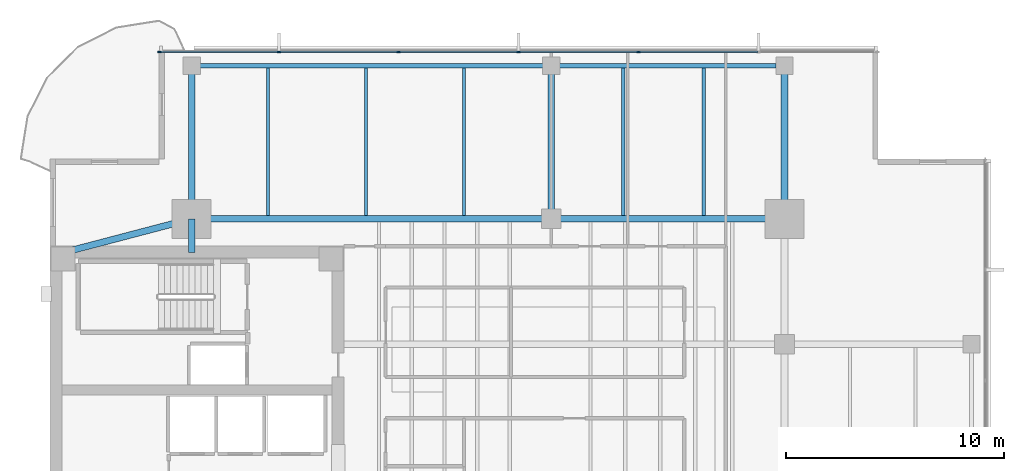
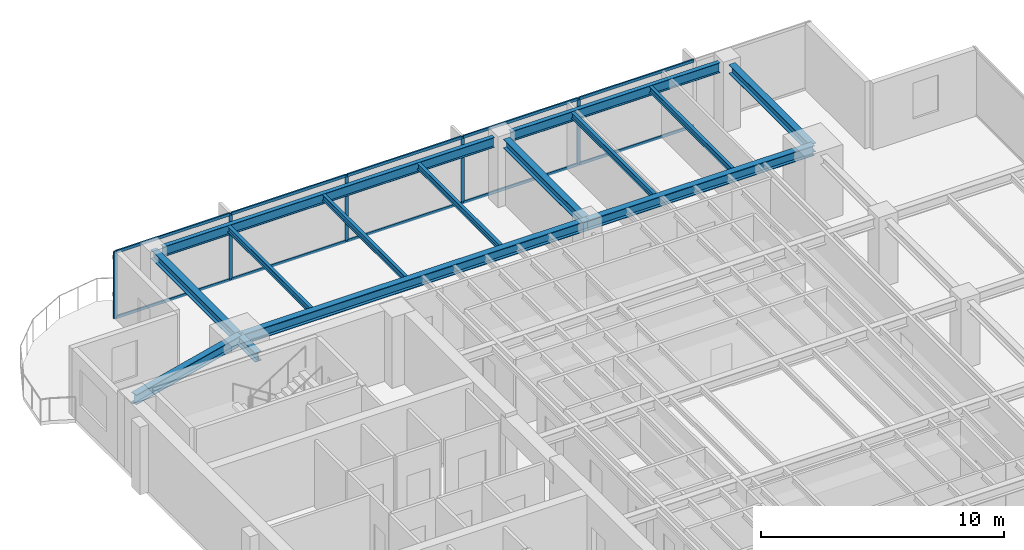
# One storey, part 5 of 15: 15 members, 14 beams, 1 element without a shape of its own.
"""IFC4 building model written with IfcOpenShell, lengths in metres."""

from ifc_helpers import new_model, si_unit, direction, frame, origin, origin_2d, place, context, subcontext, project, spatial, rectangle, i_section, extrude, material, layer, layer_set, material_profile, profile_set, type_object, element, aggregate, save


model = new_model("IFC4")

# Units and contexts
model_context = context("Model", 3, precision=1e-05, world=origin(), true_north=direction((0.0, 1.0)))
body_context = subcontext(model_context, "Body", "Model", "MODEL_VIEW")
ifc_project = project(units=[si_unit("LENGTHUNIT", "METRE"), si_unit("AREAUNIT", "SQUARE_METRE"), si_unit("VOLUMEUNIT", "CUBIC_METRE"), si_unit("PLANEANGLEUNIT", "RADIAN"), si_unit("MASSUNIT", "GRAM", prefix="KILO")], contexts=[model_context])

# Site, building, storey
site_placement = place(None, origin())
site = spatial("IfcSite", under=ifc_project, at=site_placement, CompositionType="ELEMENT")
building_placement = place(site_placement, origin())
building = spatial("IfcBuilding", under=site, at=building_placement, Name="Kinhvarn Gate Tower", CompositionType="ELEMENT")
storey_placement = place(building_placement, frame((0.0, 0.0, 237.75)))
storey = spatial("IfcBuildingStorey", under=building, at=storey_placement, Name="L63", CompositionType="ELEMENT", Elevation=237.75)

# Curtain wall, members
ifc_material_1 = material(Name="Anodised aluminium AW-6063", Category="aluminium")
ifc_layer = layer(ifc_material_1, 0.179931640625)
ifc_layer_set = layer_set([ifc_layer], Name="Anodised aluminium AW-6063")
curtain_wall_type = type_object("IfcCurtainWallType", Name="CW-SYS-3", PredefinedType="NOTDEFINED", material=ifc_layer_set)
curtain_wall_placement = place(storey_placement, origin())
curtain_wall = element("IfcCurtainWall", 1, at=curtain_wall_placement, inside=storey, type_object=curtain_wall_type, Name="Curtain Wall CW3 (L63)", PredefinedType="NOTDEFINED")
ifc_material_profile_1 = material_profile(ifc_material_1, rectangle(XDim=0.06494140625, YDim=0.159912109375, at=origin_2d()), Name="ALU 65x160")
ifc_profile_set_1 = profile_set([ifc_material_profile_1], Name="Anodised aluminium AW-6063")
member_type_1 = type_object("IfcMemberType", Name="CW-MUL-160", PredefinedType="MULLION", material=ifc_profile_set_1)
member_1_placement = place(storey_placement, frame((31.5, 45.409912109375, 0.0), z_axis=(0.0, 0.0, 1.0), x_axis=(0.0, -1.0, 0.0)))
member_1 = element("IfcMember", 2, at=member_1_placement, type_object=member_type_1, Name="CW3 mullion 3", PredefinedType="MULLION", context=body_context, shape_type="SweptSolid", body=[
    extrude(rectangle(XDim=0.06494140625, YDim=0.159912109375, at=origin_2d()), origin(), (0.0, 0.0, 1.0), 3.35009765625),
])
member_2_placement = place(storey_placement, frame((26.0, 45.409912109375, 0.0), z_axis=(0.0, 0.0, 1.0), x_axis=(0.0, -1.0, 0.0)))
member_2 = element("IfcMember", 3, at=member_2_placement, type_object=member_type_1, Name="CW3 mullion 4", PredefinedType="MULLION", context=body_context, shape_type="SweptSolid", body=[
    extrude(rectangle(XDim=0.06494140625, YDim=0.159912109375, at=origin_2d()), origin(), (0.0, 0.0, 1.0), 3.35009765625),
])
member_3_placement = place(storey_placement, frame((20.5, 45.409912109375, 0.0), z_axis=(0.0, 0.0, 1.0), x_axis=(0.0, -1.0, 0.0)))
member_3 = element("IfcMember", 4, at=member_3_placement, type_object=member_type_1, Name="CW3 mullion 5", PredefinedType="MULLION", context=body_context, shape_type="SweptSolid", body=[
    extrude(rectangle(XDim=0.06494140625, YDim=0.159912109375, at=origin_2d()), origin(), (0.0, 0.0, 1.0), 3.35009765625),
])
member_4_placement = place(storey_placement, frame((15.0, 45.409912109375, 0.0), z_axis=(0.0, 0.0, 1.0), x_axis=(0.0, -1.0, 0.0)))
member_4 = element("IfcMember", 5, at=member_4_placement, type_object=member_type_1, Name="CW3 mullion 6", PredefinedType="MULLION", context=body_context, shape_type="SweptSolid", body=[
    extrude(rectangle(XDim=0.06494140625, YDim=0.159912109375, at=origin_2d()), origin(), (0.0, 0.0, 1.0), 3.35009765625),
])
member_5_placement = place(storey_placement, frame((9.532470703125, 45.409912109375, 0.0), z_axis=(0.0, 0.0, 1.0), x_axis=(0.0, -1.0, 0.0)))
member_5 = element("IfcMember", 6, at=member_5_placement, type_object=member_type_1, Name="CW3 mullion 7", PredefinedType="MULLION", context=body_context, shape_type="SweptSolid", body=[
    extrude(rectangle(XDim=0.06494140625, YDim=0.159912109375, at=origin_2d()), origin(), (0.0, 0.0, 1.0), 3.35009765625),
])
ifc_material_profile_2 = material_profile(ifc_material_1, rectangle(XDim=0.070068359375, YDim=0.139892578125, at=origin_2d()), Name="ALU 70x140")
ifc_profile_set_2 = profile_set([ifc_material_profile_2], Name="Anodised aluminium AW-6063")
member_type_2 = type_object("IfcMemberType", Name="CW-TRN-140", PredefinedType="USERDEFINED", material=ifc_profile_set_2)
member_6_placement = place(storey_placement, frame((36.967529296875, 45.409912109375, 0.034912109375), z_axis=(-1.0, 0.0, 0.0), x_axis=(0.0, -1.0, 0.0)))
member_6 = element("IfcMember", 7, at=member_6_placement, type_object=member_type_2, Name="CW3 transom 2.1", ObjectType="TRANSOM", PredefinedType="USERDEFINED", context=body_context, shape_type="SweptSolid", body=[
    extrude(rectangle(XDim=0.070068359375, YDim=0.139892578125, at=origin_2d()), origin(), (0.0, 0.0, 1.0), 5.43505859375),
])
member_7_placement = place(storey_placement, frame((36.967529296875, 45.409912109375, 3.31494140625), z_axis=(-1.0, 0.0, 0.0), x_axis=(0.0, -1.0, 0.0)))
member_7 = element("IfcMember", 8, at=member_7_placement, type_object=member_type_2, Name="CW3 transom 2.2", ObjectType="TRANSOM", PredefinedType="USERDEFINED", context=body_context, shape_type="SweptSolid", body=[
    extrude(rectangle(XDim=0.070068359375, YDim=0.139892578125, at=origin_2d()), origin(), (0.0, 0.0, 1.0), 5.43505859375),
])
member_8_placement = place(storey_placement, frame((31.467529296875, 45.409912109375, 0.034912109375), z_axis=(-1.0, 0.0, 0.0), x_axis=(0.0, -1.0, 0.0)))
member_8 = element("IfcMember", 9, at=member_8_placement, type_object=member_type_2, Name="CW3 transom 3.1", ObjectType="TRANSOM", PredefinedType="USERDEFINED", context=body_context, shape_type="SweptSolid", body=[
    extrude(rectangle(XDim=0.070068359375, YDim=0.139892578125, at=origin_2d()), origin(), (0.0, 0.0, 1.0), 5.43505859375),
])
member_9_placement = place(storey_placement, frame((31.467529296875, 45.409912109375, 3.31494140625), z_axis=(-1.0, 0.0, 0.0), x_axis=(0.0, -1.0, 0.0)))
member_9 = element("IfcMember", 10, at=member_9_placement, type_object=member_type_2, Name="CW3 transom 3.2", ObjectType="TRANSOM", PredefinedType="USERDEFINED", context=body_context, shape_type="SweptSolid", body=[
    extrude(rectangle(XDim=0.070068359375, YDim=0.139892578125, at=origin_2d()), origin(), (0.0, 0.0, 1.0), 5.43505859375),
])
member_10_placement = place(storey_placement, frame((25.967529296875, 45.409912109375, 0.034912109375), z_axis=(-1.0, 0.0, 0.0), x_axis=(0.0, -1.0, 0.0)))
member_10 = element("IfcMember", 11, at=member_10_placement, type_object=member_type_2, Name="CW3 transom 4.1", ObjectType="TRANSOM", PredefinedType="USERDEFINED", context=body_context, shape_type="SweptSolid", body=[
    extrude(rectangle(XDim=0.070068359375, YDim=0.139892578125, at=origin_2d()), origin(), (0.0, 0.0, 1.0), 5.43505859375),
])
member_11_placement = place(storey_placement, frame((25.967529296875, 45.409912109375, 3.31494140625), z_axis=(-1.0, 0.0, 0.0), x_axis=(0.0, -1.0, 0.0)))
member_11 = element("IfcMember", 12, at=member_11_placement, type_object=member_type_2, Name="CW3 transom 4.2", ObjectType="TRANSOM", PredefinedType="USERDEFINED", context=body_context, shape_type="SweptSolid", body=[
    extrude(rectangle(XDim=0.070068359375, YDim=0.139892578125, at=origin_2d()), origin(), (0.0, 0.0, 1.0), 5.43505859375),
])
member_12_placement = place(storey_placement, frame((20.467529296875, 45.409912109375, 0.034912109375), z_axis=(-1.0, 0.0, 0.0), x_axis=(0.0, -1.0, 0.0)))
member_12 = element("IfcMember", 13, at=member_12_placement, type_object=member_type_2, Name="CW3 transom 5.1", ObjectType="TRANSOM", PredefinedType="USERDEFINED", context=body_context, shape_type="SweptSolid", body=[
    extrude(rectangle(XDim=0.070068359375, YDim=0.139892578125, at=origin_2d()), origin(), (0.0, 0.0, 1.0), 5.43505859375),
])
member_13_placement = place(storey_placement, frame((20.467529296875, 45.409912109375, 3.31494140625), z_axis=(-1.0, 0.0, 0.0), x_axis=(0.0, -1.0, 0.0)))
member_13 = element("IfcMember", 14, at=member_13_placement, type_object=member_type_2, Name="CW3 transom 5.2", ObjectType="TRANSOM", PredefinedType="USERDEFINED", context=body_context, shape_type="SweptSolid", body=[
    extrude(rectangle(XDim=0.070068359375, YDim=0.139892578125, at=origin_2d()), origin(), (0.0, 0.0, 1.0), 5.43505859375),
])
member_14_placement = place(storey_placement, frame((14.967529296875, 45.409912109375, 0.034912109375), z_axis=(-1.0, 0.0, 0.0), x_axis=(0.0, -1.0, 0.0)))
member_14 = element("IfcMember", 15, at=member_14_placement, type_object=member_type_2, Name="CW3 transom 6.1", ObjectType="TRANSOM", PredefinedType="USERDEFINED", context=body_context, shape_type="SweptSolid", body=[
    extrude(rectangle(XDim=0.070068359375, YDim=0.139892578125, at=origin_2d()), origin(), (0.0, 0.0, 1.0), 5.402587890625),
])
member_15_placement = place(storey_placement, frame((14.967529296875, 45.409912109375, 3.31494140625), z_axis=(-1.0, 0.0, 0.0), x_axis=(0.0, -1.0, 0.0)))
member_15 = element("IfcMember", 16, at=member_15_placement, type_object=member_type_2, Name="CW3 transom 6.2", ObjectType="TRANSOM", PredefinedType="USERDEFINED", context=body_context, shape_type="SweptSolid", body=[
    extrude(rectangle(XDim=0.070068359375, YDim=0.139892578125, at=origin_2d()), origin(), (0.0, 0.0, 1.0), 5.402587890625),
])
aggregate(curtain_wall, [member_1, member_2, member_3, member_4, member_5, member_6, member_7, member_8, member_9, member_10, member_11, member_12, member_13, member_14, member_15])

# Beams
ifc_material_2 = material(Name="Steel S355", Category="steel")
ifc_material_profile_3 = material_profile(ifc_material_2, i_section(OverallWidth=0.300048828125, OverallDepth=0.449951171875, WebThickness=0.013916015625, FlangeThickness=0.02587890625, at=origin_2d()), Name="HEB 450")
ifc_profile_set_3 = profile_set([ifc_material_profile_3], Name="Steel S355")
beam_type_1 = type_object("IfcBeamType", Name="STL-HEB450", PredefinedType="BEAM", material=ifc_profile_set_3)
beam_1_placement = place(storey_placement, frame((11.0, 36.199951171875, 3.125), z_axis=(0.0, 1.0, 0.0), x_axis=(-1.0, 0.0, 0.0)))
element("IfcBeam", 17, at=beam_1_placement, inside=storey, type_object=beam_type_1, Name="Floor Beam PG-13 (L63 MCW-CN)", PredefinedType="BEAM", context=body_context, shape_type="SweptSolid", body=[
    extrude(i_section(OverallWidth=0.300048828125, OverallDepth=0.449951171875, WebThickness=0.013916015625, FlangeThickness=0.02587890625, at=origin_2d()), origin(), (0.0, 0.0, 1.0), 1.550048828125),
])
beam_2_placement = place(storey_placement, frame((11.0, 37.75, 3.125), z_axis=(0.0, 1.0, 0.0), x_axis=(-1.0, 0.0, 0.0)))
element("IfcBeam", 18, at=beam_2_placement, inside=storey, type_object=beam_type_1, Name="Floor Beam PG-13 (L63 MCW-N)", PredefinedType="BEAM", context=body_context, shape_type="SweptSolid", body=[
    extrude(i_section(OverallWidth=0.300048828125, OverallDepth=0.449951171875, WebThickness=0.013916015625, FlangeThickness=0.02587890625, at=origin_2d()), origin(), (0.0, 0.0, 1.0), 7.030029296875),
])
for number, where, z_axis, x_axis, name in (
    (19, (27.5, 37.75, 3.125), (0.0, 1.0, 0.0), (-1.0, 0.0, 0.0), "Floor Beam PG-13 (L63 SP27-N-TIE)"),
    (20, (38.199951171875, 37.75, 3.125), (0.0, 1.0, 0.0), (-1.0, 0.0, 0.0), "Floor Beam PG-13 (L63 MCE-N)"),
):
    element("IfcBeam", number, at=place(storey_placement, frame(where, z_axis=z_axis, x_axis=x_axis)), inside=storey, type_object=beam_type_1, Name=name, PredefinedType="BEAM", context=body_context, shape_type="SweptSolid", body=[
        extrude(i_section(OverallWidth=0.300048828125, OverallDepth=0.449951171875, WebThickness=0.013916015625, FlangeThickness=0.02587890625, at=origin_2d()), origin(), (0.0, 0.0, 1.0), 6.64501953125),
    ])
ifc_material_profile_4 = material_profile(ifc_material_2, i_section(OverallWidth=0.300048828125, OverallDepth=0.5, WebThickness=0.014404296875, FlangeThickness=0.028076171875, at=origin_2d()), Name="HEB 500")
ifc_profile_set_4 = profile_set([ifc_material_profile_4], Name="Steel S355")
beam_type_2 = type_object("IfcBeamType", Name="STL-HEB500", PredefinedType="BEAM", material=ifc_profile_set_4)
beam_3_placement = place(storey_placement, frame((11.0, 37.75, 3.10009765625), z_axis=(1.0, 0.0, 0.0), x_axis=(0.0, 1.0, 0.0)))
element("IfcBeam", 21, at=beam_3_placement, inside=storey, type_object=beam_type_2, Name="Floor Beam PG-14 (L63 MG-N1)", PredefinedType="BEAM", context=body_context, shape_type="SweptSolid", body=[
    extrude(i_section(OverallWidth=0.300048828125, OverallDepth=0.5, WebThickness=0.014404296875, FlangeThickness=0.028076171875, at=origin_2d()), origin(), (0.0, 0.0, 1.0), 16.5),
])
beam_4_placement = place(storey_placement, frame((27.5, 37.75, 3.10009765625), z_axis=(1.0, 0.0, 0.0), x_axis=(0.0, 1.0, 0.0)))
element("IfcBeam", 22, at=beam_4_placement, inside=storey, type_object=beam_type_2, Name="Floor Beam PG-14 (L63 MG-N2)", PredefinedType="BEAM", context=body_context, shape_type="SweptSolid", body=[
    extrude(i_section(OverallWidth=0.300048828125, OverallDepth=0.5, WebThickness=0.014404296875, FlangeThickness=0.028076171875, at=origin_2d()), origin(), (0.0, 0.0, 1.0), 10.699951171875),
])
beam_5_placement = place(storey_placement, frame((5.10009765625, 36.199951171875, 3.10009765625), z_axis=(0.967177623957, 0.254101246979, 0.0), x_axis=(-0.254101246979, 0.967177623957, 0.0)))
element("IfcBeam", 23, at=beam_5_placement, inside=storey, type_object=beam_type_2, Name="Floor Beam PG-14 (L63 MG-NW-DIAG)", PredefinedType="BEAM", context=body_context, shape_type="SweptSolid", body=[
    extrude(i_section(OverallWidth=0.300048828125, OverallDepth=0.5, WebThickness=0.014404296875, FlangeThickness=0.028076171875, at=origin_2d()), origin(), (0.0, 0.0, 1.0), 6.10009765625),
])
ifc_material_profile_5 = material_profile(ifc_material_2, i_section(OverallWidth=0.14990234375, OverallDepth=0.300048828125, WebThickness=0.007080078125, FlangeThickness=0.0107421875, at=origin_2d()), Name="IPE 300")
ifc_profile_set_5 = profile_set([ifc_material_profile_5], Name="Steel S355")
beam_type_3 = type_object("IfcBeamType", Name="STL-IPE300", PredefinedType="JOIST", material=ifc_profile_set_5)
for number, where, z_axis, x_axis, name in (
    (24, (14.5, 37.89990234375, 3.199951171875), (0.0, 1.0, 0.0), (-1.0, 0.0, 0.0), "Floor Joist SB-02 (L63 JN-X145)"),
    (25, (19.0, 37.89990234375, 3.199951171875), (0.0, 1.0, 0.0), (-1.0, 0.0, 0.0), "Floor Joist SB-02 (L63 JN-X190)"),
    (26, (23.5, 37.89990234375, 3.199951171875), (0.0, 1.0, 0.0), (-1.0, 0.0, 0.0), "Floor Joist SB-02 (L63 JN-X235)"),
    (27, (30.800048828125, 37.89990234375, 3.199951171875), (0.0, 1.0, 0.0), (-1.0, 0.0, 0.0), "Floor Joist SB-02 (L63 JN-X308)"),
    (28, (34.5, 37.89990234375, 3.199951171875), (0.0, 1.0, 0.0), (-1.0, 0.0, 0.0), "Floor Joist SB-02 (L63 JN-X345)"),
):
    element("IfcBeam", number, at=place(storey_placement, frame(where, z_axis=z_axis, x_axis=x_axis)), inside=storey, type_object=beam_type_3, Name=name, PredefinedType="JOIST", context=body_context, shape_type="SweptSolid", body=[
        extrude(i_section(OverallWidth=0.14990234375, OverallDepth=0.300048828125, WebThickness=0.007080078125, FlangeThickness=0.0107421875, at=origin_2d()), origin(), (0.0, 0.0, 1.0), 6.780029296875),
    ])
ifc_material_profile_6 = material_profile(ifc_material_2, i_section(OverallWidth=0.199951171875, OverallDepth=0.5, WebThickness=0.01025390625, FlangeThickness=0.01611328125, at=origin_2d()), Name="IPE 500")
ifc_profile_set_6 = profile_set([ifc_material_profile_6], Name="Steel S355")
beam_type_4 = type_object("IfcBeamType", Name="STL-IPE500", PredefinedType="SPANDREL", material=ifc_profile_set_6)
beam_6_placement = place(storey_placement, frame((11.385009765625, 44.780029296875, 3.10009765625), z_axis=(1.0, 0.0, 0.0), x_axis=(0.0, 1.0, 0.0)))
element("IfcBeam", 29, at=beam_6_placement, inside=storey, type_object=beam_type_4, Name="Floor Spandrel SB-07 (L63 SP-N1)", PredefinedType="SPANDREL", context=body_context, shape_type="SweptSolid", body=[
    extrude(i_section(OverallWidth=0.199951171875, OverallDepth=0.5, WebThickness=0.01025390625, FlangeThickness=0.01611328125, at=origin_2d()), origin(), (0.0, 0.0, 1.0), 15.72998046875),
])
beam_7_placement = place(storey_placement, frame((27.885009765625, 44.780029296875, 3.10009765625), z_axis=(1.0, 0.0, 0.0), x_axis=(0.0, 1.0, 0.0)))
element("IfcBeam", 30, at=beam_7_placement, inside=storey, type_object=beam_type_4, Name="Floor Spandrel SB-07 (L63 SP-N2)", PredefinedType="SPANDREL", context=body_context, shape_type="SweptSolid", body=[
    extrude(i_section(OverallWidth=0.199951171875, OverallDepth=0.5, WebThickness=0.01025390625, FlangeThickness=0.01611328125, at=origin_2d()), origin(), (0.0, 0.0, 1.0), 9.929931640625),
])

save(model, "model.ifc")
